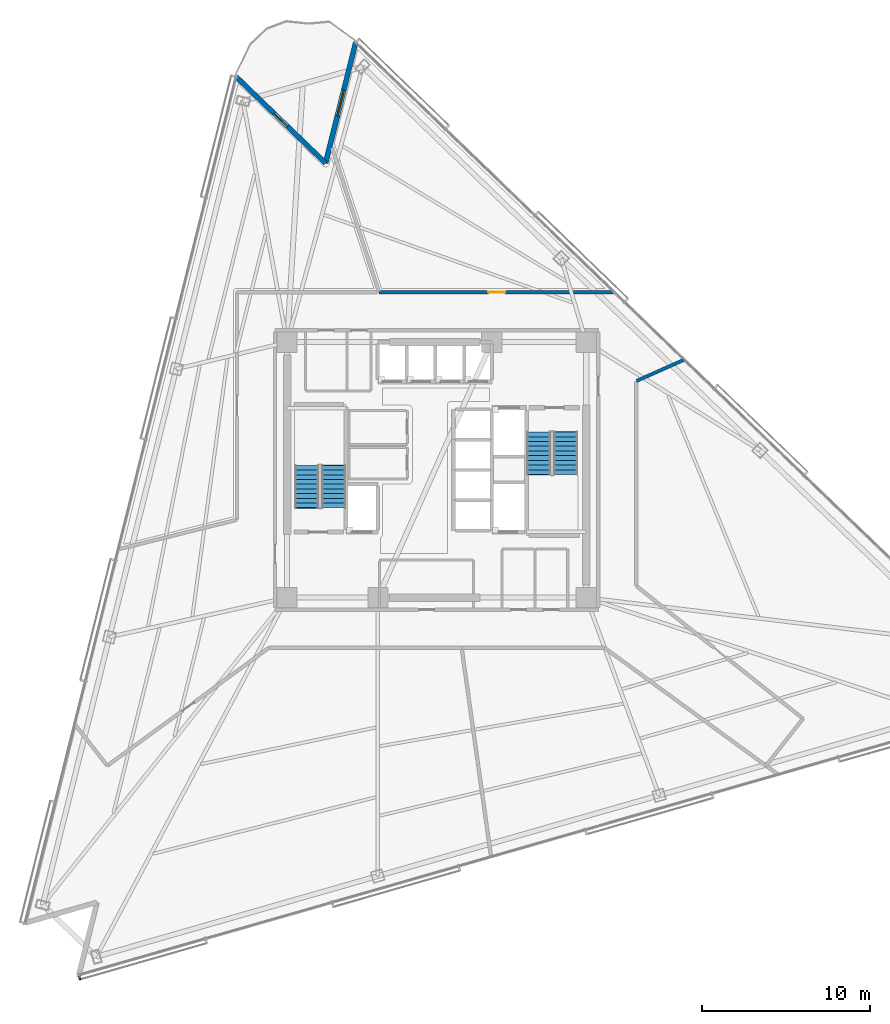
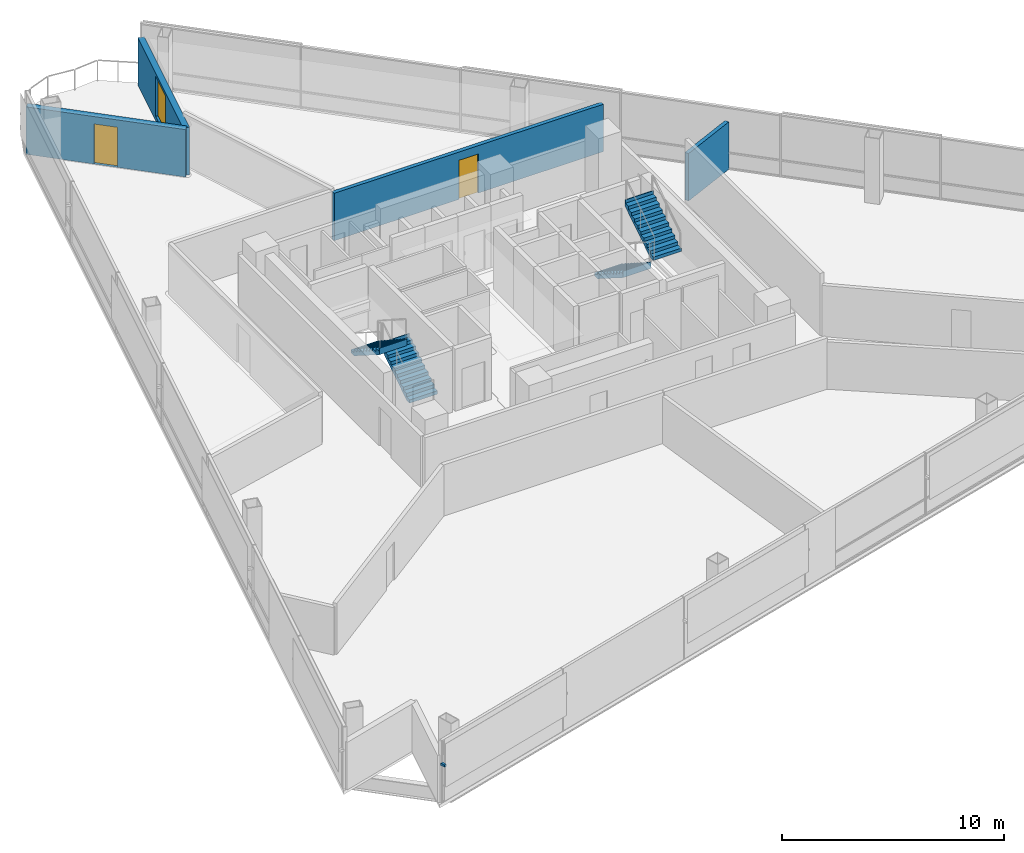
# One storey, part 11 of 18: 4 stair flights, 4 walls, 2 doors, 1 discrete accessory, 1 window, 3 openings, 2 elements without a shape of their own.
"""IFC4 building model written with IfcOpenShell, lengths in metres."""

from ifc_helpers import new_model, si_unit, direction, frame, frame_2d, origin, origin_2d, place, context, subcontext, project, spatial, polyline, rectangle, outline, extrude, material, layer, layer_set, type_object, element, fill, aggregate, save


model = new_model("IFC4")

# Units and contexts
model_context = context("Model", 3, precision=1e-05, world=origin(), true_north=direction((0.0, 1.0)))
body_context = subcontext(model_context, "Body", "Model", "MODEL_VIEW")
ifc_project = project(units=[si_unit("LENGTHUNIT", "METRE"), si_unit("AREAUNIT", "SQUARE_METRE"), si_unit("VOLUMEUNIT", "CUBIC_METRE"), si_unit("PLANEANGLEUNIT", "RADIAN"), si_unit("MASSUNIT", "GRAM", prefix="KILO")], contexts=[model_context])

# Site, building, storey
site_placement = place(None, origin())
site = spatial("IfcSite", under=ifc_project, at=site_placement, CompositionType="ELEMENT")
building_placement = place(site_placement, origin())
building = spatial("IfcBuilding", under=site, at=building_placement, Name="Tharavind Bronze Gate", CompositionType="ELEMENT")
storey_placement = place(building_placement, frame((0.0, 0.0, 100.5)))
storey = spatial("IfcBuildingStorey", under=building, at=storey_placement, Name="L25", CompositionType="ELEMENT", Elevation=100.5)

# Wall, opening, window
ifc_material_1 = material(Name="Concrete C40/50", Category="concrete")
ifc_layer_1 = layer(ifc_material_1, 0.300048828125)
ifc_layer_set_1 = layer_set([ifc_layer_1], Name="Concrete C40/50")
wall_type_1 = type_object("IfcWallType", Name="EXTERIOR SPANDREL WALL 300", PredefinedType="STANDARD", material=ifc_layer_set_1)
wall_1_placement = place(storey_placement, frame((-4.8203125, 25.433837890625, 0.0), z_axis=(0.0, 0.0, 1.0), x_axis=(-0.241930078207, -0.970293686086, 0.0)))
wall_1 = element("IfcWall", 1, at=wall_1_placement, inside=storey, type_object=wall_type_1, Name="L25 notch cheek wall 1A", PredefinedType="STANDARD", context=body_context, shape_type="SweptSolid", body=[
    extrude(rectangle(XDim=7.39990234375, YDim=0.300048828125, at=frame_2d((3.699951171875, 0.0))), origin(), (0.0, 0.0, 1.0), 2.60498046875),
])
opening_1_placement = place(wall_1_placement, frame((2.89990234375, 0.0, 0.25)))
opening_1 = element("IfcOpeningElement", 2, at=opening_1_placement, cuts=wall_1, Name="Opening W05", PredefinedType="OPENING", context=body_context, shape_type="SweptSolid", body=[
    extrude(rectangle(XDim=1.60009765625, YDim=2.199951171875, at=frame_2d((0.800048828125, 1.10009765625))), frame((0.0, 0.15990234375, 0.0), z_axis=(0.0, -1.0, 0.0), x_axis=(1.0, 0.0, 0.0)), (0.0, 0.0, 1.0), 0.320048828125),
])
ifc_material_2 = material(Name="Bronze Aluminium & Low-E Glass", Category="aluminium")
window_type = type_object("IfcWindowType", Name="OFFICE NOTCH BRONZE WINDOW 1600X2200", PartitioningType="DOUBLE_PANEL_VERTICAL", PredefinedType="WINDOW", material=ifc_material_2)
window_placement = place(opening_1_placement, origin())
window = element("IfcWindow", 3, at=window_placement, inside=storey, type_object=window_type, Name="L25 exterior window WL-L25-NCA1-01", OverallHeight=2.199951171875, OverallWidth=1.60009765625, PartitioningType="SINGLE_PANEL", PredefinedType="WINDOW", context=body_context, shape_type="SweptSolid", body=[
    extrude(rectangle(XDim=1.60009765625, YDim=2.199951171875, at=frame_2d((0.800048828125, 1.10009765625))), frame((0.0, 0.030029296875, 0.0), z_axis=(0.0, -1.0, 0.0), x_axis=(1.0, 0.0, 0.0)), (0.0, 0.0, 1.0), 0.06005859375),
])
fill(opening_1, window)

# Wall, opening, door
wall_2_placement = place(storey_placement, frame((-6.610595703125, 18.253662109375, 0.0), z_axis=(0.0, 0.0, 1.0), x_axis=(-0.719321869339, 0.694676938073, 0.0)))
wall_2 = element("IfcWall", 4, at=wall_2_placement, inside=storey, type_object=wall_type_1, Name="L25 notch cheek wall 1B", PredefinedType="STANDARD", context=body_context, shape_type="SweptSolid", body=[
    extrude(rectangle(XDim=7.39990234375, YDim=0.300048828125, at=frame_2d((3.699951171875, 0.0))), origin(), (0.0, 0.0, 1.0), 2.60498046875),
])
opening_2_placement = place(wall_2_placement, frame((3.14990234375, 0.0, 0.0)))
opening_2 = element("IfcOpeningElement", 5, at=opening_2_placement, cuts=wall_2, Name="Opening ED04", PredefinedType="OPENING", context=body_context, shape_type="SweptSolid", body=[
    extrude(rectangle(XDim=1.10009765625, YDim=2.199951171875, at=frame_2d((0.550048828125, 1.10009765625))), frame((0.0, 0.15990234375, 0.0), z_axis=(0.0, -1.0, 0.0), x_axis=(1.0, 0.0, 0.0)), (0.0, 0.0, 1.0), 0.320048828125),
])
ifc_material_3 = material(Name="Bronze Aluminium & Toughened Glass", Category="aluminium")
door_type_1 = type_object("IfcDoorType", Name="TREE BALCONY ACCESS DOOR 1100X2200", OperationType="SINGLE_SWING_LEFT", PredefinedType="DOOR", material=ifc_material_3)
door_1_placement = place(opening_2_placement, frame((1.10009765625, 0.0, 0.0), z_axis=(0.0, 0.0, 1.0), x_axis=(-1.0, 0.0, 0.0)))
door_1 = element("IfcDoor", 6, at=door_1_placement, inside=storey, type_object=door_type_1, Name="L25 tree balcony access door", OperationType="SINGLE_SWING_LEFT", OverallHeight=2.199951171875, OverallWidth=1.10009765625, PredefinedType="DOOR", context=body_context, shape_type="SweptSolid", body=[
    extrude(rectangle(XDim=1.10009765625, YDim=2.199951171875, at=frame_2d((0.550048828125, 1.10009765625))), frame((0.0, 0.02490234375, 0.0), z_axis=(0.0, -1.0, 0.0), x_axis=(1.0, 0.0, 0.0)), (0.0, 0.0, 1.0), 0.050048828125),
])
fill(opening_2, door_1)

ifc_material_4 = material(Name="Aerated Concrete Block", Category="concrete")
ifc_layer_2 = layer(ifc_material_4, 0.199951171875)
ifc_layer_set_2 = layer_set([ifc_layer_2], Name="Aerated Concrete Block")
wall_type_2 = type_object("IfcWallType", Name="FIRE RATED PARTITION 200", PredefinedType="PARTITIONING", material=ifc_layer_set_2)
wall_3_placement = place(storey_placement, frame((10.561279296875, 10.580078125, 0.0), z_axis=(0.0, 0.0, 1.0), x_axis=(-1.0, 0.0, 0.0)))
wall_3 = element("IfcWall", 7, at=wall_3_placement, inside=storey, type_object=wall_type_2, Name="L25 Industrial Design Open Studio partition", PredefinedType="PARTITIONING", context=body_context, shape_type="SweptSolid", body=[
    extrude(rectangle(XDim=13.980712890625, YDim=0.199951171875, at=frame_2d((6.990234375, 0.0))), origin(), (0.0, 0.0, 1.0), 2.60498046875),
])
opening_3_placement = place(wall_3_placement, frame((6.489990234375, 0.0, 0.0)))
opening_3 = element("IfcOpeningElement", 8, at=opening_3_placement, cuts=wall_3, Name="Opening ID04", PredefinedType="OPENING", context=body_context, shape_type="SweptSolid", body=[
    extrude(rectangle(XDim=1.0, YDim=2.14990234375, at=frame_2d((0.5, 1.074951171875))), frame((0.0, 0.11009765625, 0.0), z_axis=(0.0, -1.0, 0.0), x_axis=(1.0, 0.0, 0.0)), (0.0, 0.0, 1.0), 0.219951171875),
])
ifc_material_5 = material(Name="Bronze Framed Acoustic Timber", Category="wood")
door_type_2 = type_object("IfcDoorType", Name="OFFICE TENANCY DOOR 1000X2150", OperationType="SINGLE_SWING_RIGHT", PredefinedType="DOOR", material=ifc_material_5)
door_2_placement = place(opening_3_placement, origin())
door_2 = element("IfcDoor", 9, at=door_2_placement, inside=storey, type_object=door_type_2, Name="L25 Industrial Design Open Studio door", OperationType="SINGLE_SWING_RIGHT", OverallHeight=2.14990234375, OverallWidth=1.0, PredefinedType="DOOR", context=body_context, shape_type="SweptSolid", body=[
    extrude(rectangle(XDim=1.0, YDim=2.14990234375, at=frame_2d((0.5, 1.074951171875))), frame((0.0, 0.02490234375, 0.0), z_axis=(0.0, -1.0, 0.0), x_axis=(1.0, 0.0, 0.0)), (0.0, 0.0, 1.0), 0.050048828125),
])
fill(opening_3, door_2)

# Wall
wall_4_placement = place(storey_placement, frame((11.894775390625, 5.2958984375, 0.0), z_axis=(0.0, 0.0, 1.0), x_axis=(0.913559983635, 0.406704015594, 0.0)))
element("IfcWall", 10, at=wall_4_placement, inside=storey, type_object=wall_type_2, Name="L25 Design Tea Pantry partition", PredefinedType="PARTITIONING", context=body_context, shape_type="SweptSolid", body=[
    extrude(rectangle(XDim=3.083740234375, YDim=0.199951171875, at=frame_2d((1.5419921875, 0.0))), origin(), (0.0, 0.0, 1.0), 2.60498046875),
])

# Stair, stair flights
stair_type = type_object("IfcStairType", Name="CORE HALF TURN STAIR 1450", PredefinedType="HALF_TURN_STAIR", material=ifc_material_1)
stair_1_placement = place(storey_placement, origin())
stair_1 = element("IfcStair", 11, at=stair_1_placement, inside=storey, type_object=stair_type, Name="L25 Protected Exit Stair ST1", PredefinedType="HALF_TURN_STAIR")
stair_flight_type = type_object("IfcStairFlightType", Name="CORE STAIR FLIGHT 1450", PredefinedType="STRAIGHT", material=ifc_material_1)
stair_flight_1_placement = place(storey_placement, frame((-6.125, -2.25, 0.0), z_axis=(0.0, 0.0, 1.0), x_axis=(0.0, 1.0, 0.0)))
stair_flight_1 = element("IfcStairFlight", 12, at=stair_flight_1_placement, type_object=stair_flight_type, Name="ST1 flight 1", NumberOfRisers=10, NumberOfTreads=9, PredefinedType="STRAIGHT", RiserHeight=0.18, TreadLength=0.28, context=body_context, shape_type="SweptSolid", body=[
    extrude(outline(polyline([(0.0, 0.0), (0.0, 0.179931640625), (0.280029296875, 0.179931640625), (0.280029296875, 0.360107421875), (0.56005859375, 0.360107421875), (0.56005859375, 0.5400390625), (0.840087890625, 0.5400390625), (0.840087890625, 0.719970703125), (1.1201171875, 0.719970703125), (1.1201171875, 0.89990234375), (1.39990234375, 0.89990234375), (1.39990234375, 1.080078125), (1.679931640625, 1.080078125), (1.679931640625, 1.260009765625), (1.9599609375, 1.260009765625), (1.9599609375, 1.43994140625), (2.239990234375, 1.43994140625), (2.239990234375, 1.6201171875), (2.52001953125, 1.6201171875), (2.52001953125, 1.800048828125), (2.555908203125, 1.800048828125), (2.555908203125, 1.44189453125), (0.277099609375, 0.0), (0.0, 0.0)])), frame((0.0, 0.72509765625, 0.0), z_axis=(0.0, -1.0, 0.0), x_axis=(1.0, 0.0, 0.0)), (0.0, 0.0, 1.0), 1.449951171875),
])
stair_flight_2_placement = place(storey_placement, frame((-7.72509765625, 0.27001953125, 1.800048828125), z_axis=(0.0, 0.0, 1.0), x_axis=(0.0, -1.0, 0.0)))
stair_flight_2 = element("IfcStairFlight", 13, at=stair_flight_2_placement, type_object=stair_flight_type, Name="ST1 flight 2", NumberOfRisers=10, NumberOfTreads=9, PredefinedType="STRAIGHT", RiserHeight=0.18, TreadLength=0.28, context=body_context, shape_type="SweptSolid", body=[
    extrude(outline(polyline([(0.0, 0.0), (0.0, 0.179931640625), (0.280029296875, 0.179931640625), (0.280029296875, 0.360107421875), (0.56005859375, 0.360107421875), (0.56005859375, 0.5400390625), (0.840087890625, 0.5400390625), (0.840087890625, 0.719970703125), (1.1201171875, 0.719970703125), (1.1201171875, 0.89990234375), (1.39990234375, 0.89990234375), (1.39990234375, 1.080078125), (1.679931640625, 1.080078125), (1.679931640625, 1.260009765625), (1.9599609375, 1.260009765625), (1.9599609375, 1.43994140625), (2.239990234375, 1.43994140625), (2.239990234375, 1.6201171875), (2.52001953125, 1.6201171875), (2.52001953125, 1.800048828125), (2.555908203125, 1.800048828125), (2.555908203125, 1.44189453125), (0.277099609375, 0.0), (0.0, 0.0)])), frame((0.0, 0.72509765625, 0.0), z_axis=(0.0, -1.0, 0.0), x_axis=(1.0, 0.0, 0.0)), (0.0, 0.0, 1.0), 1.449951171875),
])
aggregate(stair_1, [stair_flight_1, stair_flight_2])

stair_2_placement = place(storey_placement, origin())
stair_2 = element("IfcStair", 14, at=stair_2_placement, inside=storey, type_object=stair_type, Name="L25 Protected Exit Stair ST2", PredefinedType="HALF_TURN_STAIR")
stair_flight_3_placement = place(storey_placement, frame((6.074951171875, 2.25, 0.0), z_axis=(0.0, 0.0, 1.0), x_axis=(0.0, -1.0, 0.0)))
stair_flight_3 = element("IfcStairFlight", 15, at=stair_flight_3_placement, type_object=stair_flight_type, Name="ST2 flight 1", NumberOfRisers=10, NumberOfTreads=9, PredefinedType="STRAIGHT", RiserHeight=0.18, TreadLength=0.28, context=body_context, shape_type="SweptSolid", body=[
    extrude(outline(polyline([(0.0, 0.0), (0.0, 0.179931640625), (0.280029296875, 0.179931640625), (0.280029296875, 0.360107421875), (0.56005859375, 0.360107421875), (0.56005859375, 0.5400390625), (0.840087890625, 0.5400390625), (0.840087890625, 0.719970703125), (1.1201171875, 0.719970703125), (1.1201171875, 0.89990234375), (1.39990234375, 0.89990234375), (1.39990234375, 1.080078125), (1.679931640625, 1.080078125), (1.679931640625, 1.260009765625), (1.9599609375, 1.260009765625), (1.9599609375, 1.43994140625), (2.239990234375, 1.43994140625), (2.239990234375, 1.6201171875), (2.52001953125, 1.6201171875), (2.52001953125, 1.800048828125), (2.555908203125, 1.800048828125), (2.555908203125, 1.44189453125), (0.277099609375, 0.0), (0.0, 0.0)])), frame((0.0, 0.72509765625, 0.0), z_axis=(0.0, -1.0, 0.0), x_axis=(1.0, 0.0, 0.0)), (0.0, 0.0, 1.0), 1.449951171875),
])
stair_flight_4_placement = place(storey_placement, frame((7.675048828125, -0.27001953125, 1.800048828125), z_axis=(0.0, 0.0, 1.0), x_axis=(0.0, 1.0, 0.0)))
stair_flight_4 = element("IfcStairFlight", 16, at=stair_flight_4_placement, type_object=stair_flight_type, Name="ST2 flight 2", NumberOfRisers=10, NumberOfTreads=9, PredefinedType="STRAIGHT", RiserHeight=0.18, TreadLength=0.28, context=body_context, shape_type="SweptSolid", body=[
    extrude(outline(polyline([(0.0, 0.0), (0.0, 0.179931640625), (0.280029296875, 0.179931640625), (0.280029296875, 0.360107421875), (0.56005859375, 0.360107421875), (0.56005859375, 0.5400390625), (0.840087890625, 0.5400390625), (0.840087890625, 0.719970703125), (1.1201171875, 0.719970703125), (1.1201171875, 0.89990234375), (1.39990234375, 0.89990234375), (1.39990234375, 1.080078125), (1.679931640625, 1.080078125), (1.679931640625, 1.260009765625), (1.9599609375, 1.260009765625), (1.9599609375, 1.43994140625), (2.239990234375, 1.43994140625), (2.239990234375, 1.6201171875), (2.52001953125, 1.6201171875), (2.52001953125, 1.800048828125), (2.555908203125, 1.800048828125), (2.555908203125, 1.44189453125), (0.277099609375, 0.0), (0.0, 0.0)])), frame((0.0, 0.72509765625, 0.0), z_axis=(0.0, -1.0, 0.0), x_axis=(1.0, 0.0, 0.0)), (0.0, 0.0, 1.0), 1.449951171875),
])
aggregate(stair_2, [stair_flight_3, stair_flight_4])

# Discrete accessory
ifc_material_6 = material(Name="Stainless Steel 316", Category="steel")
discrete_accessory_type = type_object("IfcDiscreteAccessoryType", Name="SOLAR SCREEN STANDOFF BRACKET", PredefinedType="BRACKET", material=ifc_material_6)
discrete_accessory_placement = place(storey_placement, frame((-21.245849609375, -30.220703125, 2.094970703125), z_axis=(0.0, 0.0, 1.0), x_axis=(0.961261695938, 0.275637355817, 0.0)))
element("IfcDiscreteAccessory", 17, at=discrete_accessory_placement, inside=storey, type_object=discrete_accessory_type, Name="CW-L25-S2 solar screen bracket 1.1", PredefinedType="BRACKET", context=body_context, shape_type="SweptSolid", body=[
    extrude(rectangle(XDim=0.1201171875, YDim=0.239990234375, at=origin_2d()), origin(), (0.0, 0.0, 1.0), 0.1201171875),
])

save(model, "model.ifc")
